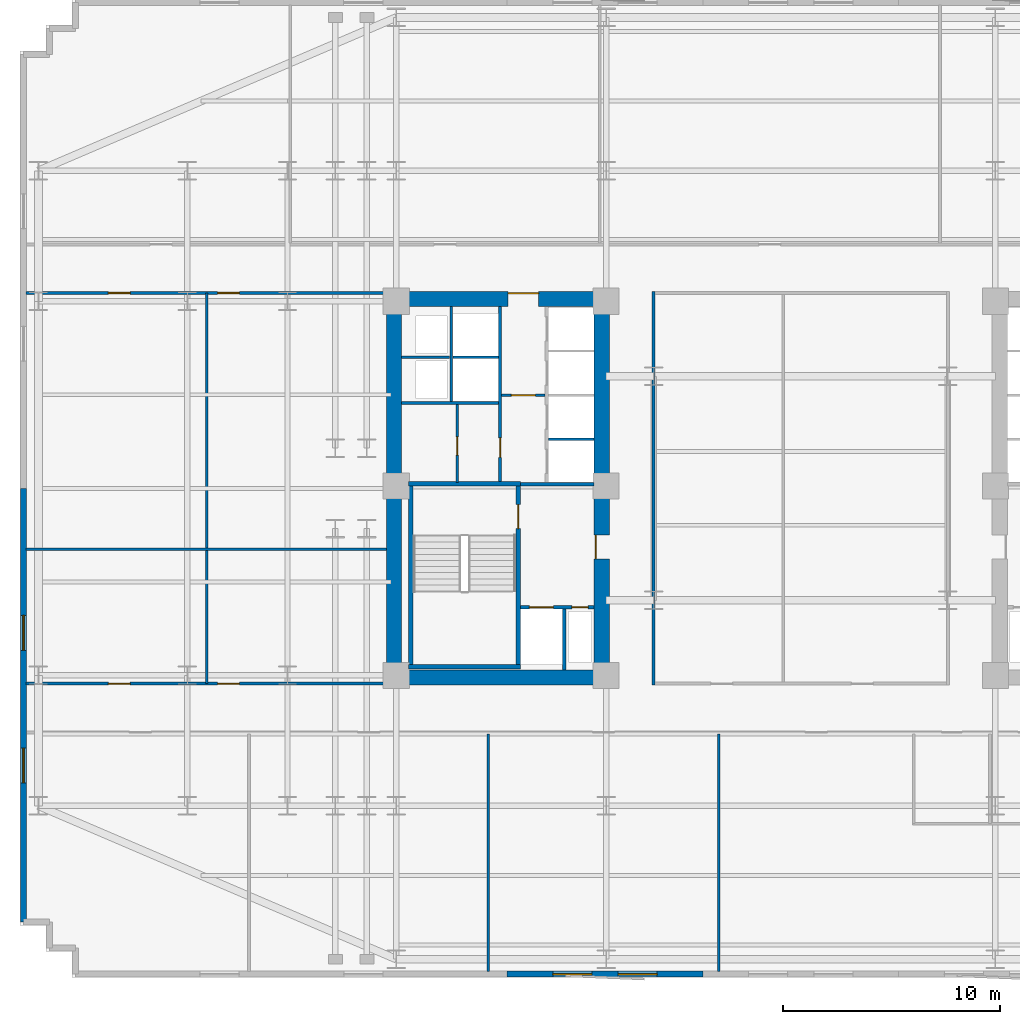
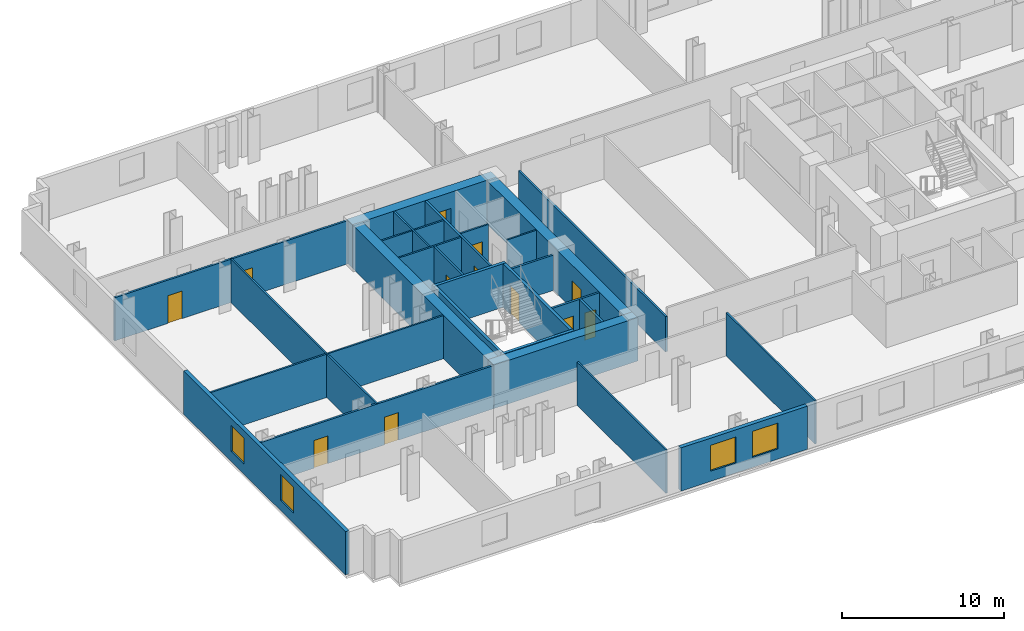
# One storey, part 4 of 10: 28 walls, 12 doors, 4 windows, 16 openings.
"""IFC4 building model written with IfcOpenShell, lengths in metres."""

import ifcopenshell
import ifcopenshell.guid

model = None  # the IFC model being written
_history = None  # IfcOwnerHistory: only IFC2X3 demands one
_inside = {}  # id of a spatial element -> (the spatial element, [elements in it])
_under = {}  # id of a project, library or spatial element -> (it, [spatial elements below it])
_declared = {}  # id of a project -> (the project, [libraries it declares])
_typed = {}  # id of a type object -> (the type object, [elements of that type])
_made_of = {}  # id of a material, layer set ... -> (it, [elements and type objects made of it])


def new_model(schema):
    """Start an empty IFC model of exactly this schema.

    Asked for "IFC4X3", IfcOpenShell would pick the latest addendum, in which some entities
    have other attributes; the version numbers below select the first issue.
    IFC2X3 requires an IfcOwnerHistory on every rooted entity: one is made here for all.
    """
    global model, _history
    if schema == "IFC4X3":
        model = ifcopenshell.file(schema_version=(4, 3, 0, 0))
    else:
        model = ifcopenshell.file(schema=schema)
    _inside.clear()
    _under.clear()
    _declared.clear()
    _typed.clear()
    _made_of.clear()
    _history = None
    if model.schema == "IFC2X3":
        org = make("IfcOrganization", Name="unknown")
        user = make(
            "IfcPersonAndOrganization",
            ThePerson=make("IfcPerson", FamilyName="unknown"),
            TheOrganization=org,
        )
        app = make(
            "IfcApplication",
            ApplicationDeveloper=org,
            Version="unknown",
            ApplicationFullName="unknown",
            ApplicationIdentifier="unknown",
        )
        _history = make(
            "IfcOwnerHistory",
            OwningUser=user,
            OwningApplication=app,
            ChangeAction="ADDED",
            CreationDate=0,
        )
    return model


def make(cls, **values):
    """One entity of the class cls with the attributes given. An attribute that is None is left unset."""
    return model.create_entity(
        cls, **{name: value for name, value in values.items() if value is not None}
    )


def rooted(cls, **values):
    """An entity with a GlobalId (a new one), such as an element, a storey or a relation."""
    return make(cls, GlobalId=ifcopenshell.guid.new(), OwnerHistory=_history, **values)


def si_unit(unit_type, name, prefix=None):
    """IfcSIUnit, for example si_unit("LENGTHUNIT", "METRE", prefix="MILLI")."""
    return make("IfcSIUnit", UnitType=unit_type, Prefix=prefix, Name=name)


def assignment(units):
    """IfcUnitAssignment: the units of a project."""
    return None if units is None else make("IfcUnitAssignment", Units=units)


def point(xyz):
    """IfcCartesianPoint."""
    return None if xyz is None else make("IfcCartesianPoint", Coordinates=xyz)


def direction(xyz):
    """IfcDirection."""
    return None if xyz is None else make("IfcDirection", DirectionRatios=xyz)


def frame(location, z_axis=None, x_axis=None):
    """IfcAxis2Placement3D, a coordinate frame: its origin and axes. An axis left out is left unset."""
    return make(
        "IfcAxis2Placement3D",
        Location=point(location),
        Axis=direction(z_axis),
        RefDirection=direction(x_axis),
    )


def frame_2d(location, x_axis=None):
    """IfcAxis2Placement2D, a coordinate frame in the plane: its origin and x axis."""
    return make(
        "IfcAxis2Placement2D", Location=point(location), RefDirection=direction(x_axis)
    )


def origin():
    """The frame at (0, 0, 0) with its axes left unset."""
    return frame((0.0, 0.0, 0.0))


def place(relative_to, where):
    """IfcLocalPlacement: puts the frame where relative to a parent placement (None: the world)."""
    return make(
        "IfcLocalPlacement", PlacementRelTo=relative_to, RelativePlacement=where
    )


def context(
    kind, dimensions, precision=None, world=None, true_north=None, identifier=None
):
    """IfcGeometricRepresentationContext, for example the 3D "Model" context."""
    return make(
        "IfcGeometricRepresentationContext",
        ContextIdentifier=identifier,
        ContextType=kind,
        CoordinateSpaceDimension=dimensions,
        Precision=precision,
        WorldCoordinateSystem=world,
        TrueNorth=true_north,
    )


def subcontext(parent, identifier, kind, view, scale=None):
    """IfcGeometricRepresentationSubContext, for example "Body" below "Model"."""
    return make(
        "IfcGeometricRepresentationSubContext",
        ContextIdentifier=identifier,
        ContextType=kind,
        ParentContext=parent,
        TargetScale=scale,
        TargetView=view,
    )


def project(units=None, contexts=None):
    """IfcProject with its units and contexts."""
    return rooted(
        "IfcProject",
        Name="project",
        RepresentationContexts=contexts,
        UnitsInContext=assignment(units),
    )


def spatial(cls, under=None, at=None, **own):
    """A site, building, storey or space (cls), placed at a placement, below another one or the project."""
    s = rooted(cls, ObjectPlacement=at, **own)
    if under is not None:
        _under.setdefault(under.id(), (under, []))[1].append(s)
    return s


def profile(cls, at=None, kind="AREA", **sizes):
    """A parametric profile (cls). Its sizes go by their IFC names, for example OverallWidth=200.0."""
    return make(cls, ProfileType=kind, Position=at, **sizes)


def rectangle(**sizes):
    """IfcRectangleProfileDef."""
    return profile("IfcRectangleProfileDef", **sizes)


def extrude(swept, where, along, depth):
    """IfcExtrudedAreaSolid: the profile swept, set in the frame where, extruded along a direction by depth."""
    return make(
        "IfcExtrudedAreaSolid",
        SweptArea=swept,
        Position=where,
        ExtrudedDirection=direction(along),
        Depth=depth,
    )


def shape(context_of_items, identifier, shape_type, items):
    """IfcShapeRepresentation: the items that make up one representation, for example the "Body"."""
    return make(
        "IfcShapeRepresentation",
        ContextOfItems=context_of_items,
        RepresentationIdentifier=identifier,
        RepresentationType=shape_type,
        Items=items,
    )


def material(Name=None, Category=None):
    """IfcMaterial."""
    return make("IfcMaterial", Name=Name, Category=Category)


def layer(
    of_material, thickness, ventilated=None, Name=None, Category=None, Priority=None
):
    """IfcMaterialLayer: one layer of a wall or slab, of a material (None: an air gap)."""
    return make(
        "IfcMaterialLayer",
        Material=of_material,
        LayerThickness=thickness,
        IsVentilated=ventilated,
        Name=Name,
        Category=Category,
        Priority=Priority,
    )


def layer_set(layers, Name=None):
    """IfcMaterialLayerSet."""
    return make("IfcMaterialLayerSet", MaterialLayers=layers, LayerSetName=Name)


def made_of(thing, what):
    """Note that an element or type object is made of a material, layer set ...; save() writes the relation."""
    if what is not None:
        _made_of.setdefault(what.id(), (what, []))[1].append(thing)
    return thing


def type_object(cls, material=None, **own):
    """A type object (cls), such as IfcWallType, which elements share."""
    return made_of(rooted(cls, **own), material)


def element(
    cls,
    number,
    at=None,
    inside=None,
    cuts=None,
    type_object=None,
    material=None,
    context=None,
    identifier="Body",
    shape_type=None,
    held_by="IfcProductDefinitionShape",
    body=None,
    shapes=None,
    **own,
):
    """One element of the class cls, such as IfcWall. Its Tag is "e" and its number.

    at: its placement. inside: the storey or other place that contains it. cuts: it is an
    opening in that element (IfcRelVoidsElement). A single representation is given by context,
    identifier, shape_type and body (its items); several are given by shapes. held_by: the class
    of the entity that holds the representations. save() writes the other relations.
    """
    e = rooted(cls, Tag="e%d" % number, ObjectPlacement=at, **own)
    if body is not None:
        shapes = [shape(context, identifier, shape_type, body)]
    if shapes is not None:
        e.Representation = make(held_by, Representations=shapes)
    if inside is not None:
        _inside.setdefault(inside.id(), (inside, []))[1].append(e)
    if cuts is not None:
        rooted(
            "IfcRelVoidsElement", RelatingBuildingElement=cuts, RelatedOpeningElement=e
        )
    if type_object is not None:
        _typed.setdefault(type_object.id(), (type_object, []))[1].append(e)
    return made_of(e, material)


def fill(opening, filler):
    """IfcRelFillsElement: the door or window that sits in an opening."""
    return rooted(
        "IfcRelFillsElement",
        RelatingOpeningElement=opening,
        RelatedBuildingElement=filler,
    )


def aggregate(whole, parts):
    """IfcRelAggregates: a whole, such as a stair, and the parts it consists of."""
    return rooted("IfcRelAggregates", RelatingObject=whole, RelatedObjects=parts)


def save(model, path):
    """Write the relations noted so far, then the file.

    IfcRelAggregates (storeys below a building ...), IfcRelContainedInSpatialStructure (elements
    in a storey), IfcRelDefinesByType, IfcRelAssociatesMaterial and IfcRelDeclares: one each for
    every whole, place, type object, material and project.
    """
    for whole, parts in _under.values():
        aggregate(whole, parts)
    for where, things in _inside.values():
        rooted(
            "IfcRelContainedInSpatialStructure",
            RelatedElements=things,
            RelatingStructure=where,
        )
    for kind, things in _typed.values():
        rooted("IfcRelDefinesByType", RelatedObjects=things, RelatingType=kind)
    for what, things in _made_of.values():
        rooted("IfcRelAssociatesMaterial", RelatedObjects=things, RelatingMaterial=what)
    for by, libraries in _declared.values():
        rooted("IfcRelDeclares", RelatingContext=by, RelatedDefinitions=libraries)
    model.write(path)


model = new_model("IFC4")

# Units and contexts
model_context = context("Model", 3, precision=1e-05, world=origin(), true_north=direction((0.0, 1.0)))
body_context = subcontext(model_context, "Body", "Model", "MODEL_VIEW")
ifc_project = project(units=[si_unit("LENGTHUNIT", "METRE"), si_unit("AREAUNIT", "SQUARE_METRE"), si_unit("VOLUMEUNIT", "CUBIC_METRE"), si_unit("PLANEANGLEUNIT", "RADIAN"), si_unit("MASSUNIT", "GRAM", prefix="KILO")], contexts=[model_context])

# Site, building, storey
site_placement = place(None, origin())
site = spatial("IfcSite", under=ifc_project, at=site_placement, CompositionType="ELEMENT")
building_placement = place(site_placement, origin())
building = spatial("IfcBuilding", under=site, at=building_placement, Name="Velakula Bourse", CompositionType="ELEMENT")
storey_placement = place(building_placement, frame((0.0, 0.0, 45.0)))
storey = spatial("IfcBuildingStorey", under=building, at=storey_placement, Name="L11", CompositionType="ELEMENT", Elevation=45.0)

# Wall, opening, door
ifc_material_1 = material(Name="Concrete M50 (fck 50 MPa)", Category="concrete")
ifc_layer_1 = layer(ifc_material_1, 0.2099609375, Name="Concrete M50 (fck 50 MPa)", Category="concrete")
ifc_layer_set_1 = layer_set([ifc_layer_1], Name="Concrete M50 (fck 50 MPa)")
wall_type_1 = type_object("IfcWallType", Name="WL-CORE-210", PredefinedType="SHEAR", material=ifc_layer_set_1)
wall_1_placement = place(storey_placement, frame((-12.9951171875, -8.10009765625, 0.0), z_axis=(0.0, 0.0, 1.0), x_axis=(0.0, 1.0, 0.0)))
wall_1 = element("IfcWall", 1, at=wall_1_placement, inside=storey, type_object=wall_type_1, Name="L11 Core W Stairwell Shear Wall IN", PredefinedType="SHEAR", context=body_context, shape_type="SweptSolid", body=[
    extrude(rectangle(XDim=8.2001953125, YDim=0.2099609375, at=frame_2d((4.10009765625, 0.0))), origin(), (0.0, 0.0, 1.0), 3.27001953125),
])
opening_1_placement = place(wall_1_placement, frame((6.25, 0.0, 0.0)))
opening_1 = element("IfcOpeningElement", 2, at=opening_1_placement, cuts=wall_1, Name="Opening D-STW1", PredefinedType="OPENING", context=body_context, shape_type="SweptSolid", body=[
    extrude(rectangle(XDim=1.10009765625, YDim=2.14990234375, at=frame_2d((0.550048828125, 1.074951171875))), frame((0.0, 0.114990234375, 0.0), z_axis=(0.0, -1.0, 0.0), x_axis=(1.0, 0.0, 0.0)), (0.0, 0.0, 1.0), 0.22998046875),
])
ifc_material_2 = material(Name="Galvanised painted hollow steel fire door", Category="steel")
door_type_1 = type_object("IfcDoorType", Name="DR-FD120-1100x2150", OperationType="NOTDEFINED", PredefinedType="DOOR", material=ifc_material_2)
door_1_placement = place(opening_1_placement, origin())
door_1 = element("IfcDoor", 3, at=door_1_placement, inside=storey, type_object=door_type_1, Name="L11 Stair ST-W1 Fire Door", OperationType="SINGLE_SWING_LEFT", OverallHeight=2.14990234375, OverallWidth=1.10009765625, PredefinedType="DOOR", context=body_context, shape_type="SweptSolid", body=[
    extrude(rectangle(XDim=1.10009765625, YDim=2.14990234375, at=frame_2d((0.550048828125, 1.074951171875))), frame((0.0, 0.02490234375, 0.0), z_axis=(0.0, -1.0, 0.0), x_axis=(1.0, 0.0, 0.0)), (0.0, 0.0, 1.0), 0.050048828125),
])
fill(opening_1, door_1)

# Walls
wall_2_placement = place(storey_placement, frame((-17.925048828125, -8.10009765625, 0.0), z_axis=(0.0, 0.0, 1.0), x_axis=(0.0, 1.0, 0.0)))
element("IfcWall", 4, at=wall_2_placement, inside=storey, type_object=wall_type_1, Name="L11 Core W Stairwell Shear Wall OUT", PredefinedType="SHEAR", context=body_context, shape_type="SweptSolid", body=[
    extrude(rectangle(XDim=8.2001953125, YDim=0.2099609375, at=frame_2d((4.10009765625, 0.0))), origin(), (0.0, 0.0, 1.0), 3.27001953125),
])
for number, where, z_axis, x_axis, name in (
    (5, (-18.030029296875, -8.205078125, 0.0), (0.0, 0.0, 1.0), (1.0, 0.0, 0.0), "L11 Core W Stairwell Shear Wall S"),
    (6, (-12.889892578125, 0.205078125, 0.0), (0.0, 0.0, 1.0), (-1.0, 0.0, 0.0), "L11 Core W Stairwell Shear Wall N"),
):
    element("IfcWall", number, at=place(storey_placement, frame(where, z_axis=z_axis, x_axis=x_axis)), inside=storey, type_object=wall_type_1, Name=name, PredefinedType="SHEAR", context=body_context, shape_type="SweptSolid", body=[
        extrude(rectangle(XDim=5.14013671875, YDim=0.2099609375, at=frame_2d((2.570068359375, 0.0))), origin(), (0.0, 0.0, 1.0), 3.27001953125),
    ])
ifc_material_3 = material(Name="Concrete M70 (fck 70 MPa)", Category="concrete")
ifc_layer_2 = layer(ifc_material_3, 0.699951171875, Name="Concrete M70 (fck 70 MPa)", Category="concrete")
ifc_layer_set_2 = layer_set([ifc_layer_2], Name="Concrete M70 (fck 70 MPa)")
wall_type_2 = type_object("IfcWallType", Name="WL-CORE-700", PredefinedType="SHEAR", material=ifc_layer_set_2)
wall_3_placement = place(storey_placement, frame((-19.050048828125, -8.699951171875, 0.0), z_axis=(0.0, 0.0, 1.0), x_axis=(1.0, 0.0, 0.0)))
element("IfcWall", 7, at=wall_3_placement, inside=storey, type_object=wall_type_2, Name="L11 Core W Shear Wall S", PredefinedType="SHEAR", context=body_context, shape_type="SweptSolid", body=[
    extrude(rectangle(XDim=10.25, YDim=0.699951171875, at=frame_2d((5.125, 0.0))), origin(), (0.0, 0.0, 1.0), 3.27001953125),
])

# Wall, opening, door
wall_4_placement = place(storey_placement, frame((-19.050048828125, 8.699951171875, 0.0), z_axis=(0.0, 0.0, 1.0), x_axis=(1.0, 0.0, 0.0)))
wall_4 = element("IfcWall", 8, at=wall_4_placement, inside=storey, type_object=wall_type_2, Name="L11 Core W Shear Wall N", PredefinedType="SHEAR", context=body_context, shape_type="SweptSolid", body=[
    extrude(rectangle(XDim=10.25, YDim=0.699951171875, at=frame_2d((5.125, 0.0))), origin(), (0.0, 0.0, 1.0), 3.27001953125),
])
opening_2_placement = place(wall_4_placement, frame((5.60009765625, 0.0, 0.0)))
opening_2 = element("IfcOpeningElement", 9, at=opening_2_placement, cuts=wall_4, Name="Opening D-LLW", PredefinedType="OPENING", context=body_context, shape_type="SweptSolid", body=[
    extrude(rectangle(XDim=1.39990234375, YDim=2.050048828125, at=frame_2d((0.699951171875, 1.02490234375))), frame((0.0, 0.35986328125, 0.0), z_axis=(0.0, -1.0, 0.0), x_axis=(1.0, 0.0, 0.0)), (0.0, 0.0, 1.0), 0.719970703125),
])
ifc_material_4 = material(Name="Fire-rated hardwood flush architectural door", Category="wood")
door_type_2 = type_object("IfcDoorType", Name="DR-DBL-FD60-1400", OperationType="DOUBLE_DOOR_SINGLE_SWING", PredefinedType="DOOR", material=ifc_material_4)
door_2_placement = place(opening_2_placement, origin())
door_2 = element("IfcDoor", 10, at=door_2_placement, inside=storey, type_object=door_type_2, Name="L11 Core W Lift Lobby Corridor Double Door", OperationType="DOUBLE_DOOR_SINGLE_SWING", OverallHeight=2.050048828125, OverallWidth=1.39990234375, PredefinedType="DOOR", context=body_context, shape_type="SweptSolid", body=[
    extrude(rectangle(XDim=1.39990234375, YDim=2.050048828125, at=frame_2d((0.699951171875, 1.02490234375))), frame((0.0, 0.294921875, 0.0), z_axis=(0.0, -1.0, 0.0), x_axis=(1.0, 0.0, 0.0)), (0.0, 0.0, 1.0), 0.050048828125),
])
fill(opening_2, door_2)

# Wall
wall_5_placement = place(storey_placement, frame((-18.699951171875, -8.35009765625, 0.0), z_axis=(0.0, 0.0, 1.0), x_axis=(0.0, 1.0, 0.0)))
element("IfcWall", 11, at=wall_5_placement, inside=storey, type_object=wall_type_2, Name="L11 Core W Shear Wall W", PredefinedType="SHEAR", context=body_context, shape_type="SweptSolid", body=[
    extrude(rectangle(XDim=16.7001953125, YDim=0.699951171875, at=frame_2d((8.35009765625, 0.0))), origin(), (0.0, 0.0, 1.0), 3.27001953125),
])

# Wall, opening, door
wall_6_placement = place(storey_placement, frame((-9.14990234375, -8.35009765625, 0.0), z_axis=(0.0, 0.0, 1.0), x_axis=(0.0, 1.0, 0.0)))
wall_6 = element("IfcWall", 12, at=wall_6_placement, inside=storey, type_object=wall_type_2, Name="L11 Core W Shear Wall E", PredefinedType="SHEAR", context=body_context, shape_type="SweptSolid", body=[
    extrude(rectangle(XDim=16.7001953125, YDim=0.699951171875, at=frame_2d((8.35009765625, 0.0))), origin(), (0.0, 0.0, 1.0), 3.27001953125),
])
opening_3_placement = place(wall_6_placement, frame((5.10009765625, 0.0, 0.0)))
opening_3 = element("IfcOpeningElement", 13, at=opening_3_placement, cuts=wall_6, Name="Opening D-FLW", PredefinedType="OPENING", context=body_context, shape_type="SweptSolid", body=[
    extrude(rectangle(XDim=1.10009765625, YDim=2.080078125, at=frame_2d((0.550048828125, 1.0400390625))), frame((0.0, 0.35986328125, 0.0), z_axis=(0.0, -1.0, 0.0), x_axis=(1.0, 0.0, 0.0)), (0.0, 0.0, 1.0), 0.719970703125),
])
door_type_3 = type_object("IfcDoorType", Name="DR-FD120-1100", OperationType="NOTDEFINED", PredefinedType="DOOR", material=ifc_material_2)
door_3_placement = place(opening_3_placement, origin())
door_3 = element("IfcDoor", 14, at=door_3_placement, inside=storey, type_object=door_type_3, Name="L11 Firefighting Lobby W Corridor Fire Door", OperationType="SINGLE_SWING_LEFT", OverallHeight=2.080078125, OverallWidth=1.10009765625, PredefinedType="DOOR", context=body_context, shape_type="SweptSolid", body=[
    extrude(rectangle(XDim=1.10009765625, YDim=2.080078125, at=frame_2d((0.550048828125, 1.0400390625))), frame((0.0, 0.30517578125, 0.0), z_axis=(0.0, -1.0, 0.0), x_axis=(1.0, 0.0, 0.0)), (0.0, 0.0, 1.0), 0.050048828125),
])
fill(opening_3, door_3)

# Wall, openings, windows
ifc_material_5 = material(Name="Red kilned clay facing brick masonry", Category="masonry")
ifc_layer_3 = layer(ifc_material_5, 0.280029296875, Name="Red kilned clay facing brick masonry", Category="masonry")
ifc_layer_set_3 = layer_set([ifc_layer_3], Name="Red kilned clay facing brick masonry")
wall_type_3 = type_object("IfcWallType", Name="WL-EXT-BRK-280", PredefinedType="STANDARD", material=ifc_layer_set_3)
wall_7_placement = place(storey_placement, frame((-4.5, -22.340087890625, 0.0), z_axis=(0.0, 0.0, 1.0), x_axis=(-1.0, 0.0, 0.0)))
wall_7 = element("IfcWall", 15, at=wall_7_placement, inside=storey, type_object=wall_type_3, Name="L11 S Brick Spandrel Wall B2", PredefinedType="STANDARD", context=body_context, shape_type="SweptSolid", body=[
    extrude(rectangle(XDim=9.0, YDim=0.280029296875, at=frame_2d((4.5, 0.0))), origin(), (0.0, 0.0, 1.0), 3.25),
])
opening_4_placement = place(wall_7_placement, frame((2.10009765625, 0.0, 0.760009765625)))
opening_4 = element("IfcOpeningElement", 16, at=opening_4_placement, cuts=wall_7, Name="Opening W-01", PredefinedType="OPENING", context=body_context, shape_type="SweptSolid", body=[
    extrude(rectangle(XDim=1.800048828125, YDim=1.949951171875, at=frame_2d((0.89990234375, 0.97509765625))), frame((0.0, 0.14990234375, 0.0), z_axis=(0.0, -1.0, 0.0), x_axis=(1.0, 0.0, 0.0)), (0.0, 0.0, 1.0), 0.300048828125),
])
opening_5_placement = place(wall_7_placement, frame((5.10009765625, 0.0, 0.760009765625)))
opening_5 = element("IfcOpeningElement", 17, at=opening_5_placement, cuts=wall_7, Name="Opening W-01", PredefinedType="OPENING", context=body_context, shape_type="SweptSolid", body=[
    extrude(rectangle(XDim=1.800048828125, YDim=1.949951171875, at=frame_2d((0.89990234375, 0.97509765625))), frame((0.0, 0.14990234375, 0.0), z_axis=(0.0, -1.0, 0.0), x_axis=(1.0, 0.0, 0.0)), (0.0, 0.0, 1.0), 0.300048828125),
])
ifc_material_6 = material(Name="Double-glazed solar-control Low-E glass", Category="glass")
window_type_1 = type_object("IfcWindowType", Name="WIN-TWR-1800x2100", PartitioningType="SINGLE_PANEL", PredefinedType="WINDOW", material=ifc_material_6)
window_1_placement = place(opening_4_placement, origin())
window_1 = element("IfcWindow", 18, at=window_1_placement, inside=storey, type_object=window_type_1, Name="L11 Deep-Set Recessed Window 1", OverallHeight=1.949951171875, OverallWidth=1.800048828125, PartitioningType="SINGLE_PANEL", PredefinedType="WINDOW", context=body_context, shape_type="SweptSolid", body=[
    extrude(rectangle(XDim=1.800048828125, YDim=1.949951171875, at=frame_2d((0.89990234375, 0.97509765625))), frame((0.0, 0.030029296875, 0.0), z_axis=(0.0, -1.0, 0.0), x_axis=(1.0, 0.0, 0.0)), (0.0, 0.0, 1.0), 0.06005859375),
])
fill(opening_4, window_1)
window_2_placement = place(opening_5_placement, origin())
window_2 = element("IfcWindow", 19, at=window_2_placement, inside=storey, type_object=window_type_1, Name="L11 Deep-Set Recessed Window 2", OverallHeight=1.949951171875, OverallWidth=1.800048828125, PartitioningType="SINGLE_PANEL", PredefinedType="WINDOW", context=body_context, shape_type="SweptSolid", body=[
    extrude(rectangle(XDim=1.800048828125, YDim=1.949951171875, at=frame_2d((0.89990234375, 0.97509765625))), frame((0.0, 0.030029296875, 0.0), z_axis=(0.0, -1.0, 0.0), x_axis=(1.0, 0.0, 0.0)), (0.0, 0.0, 1.0), 0.06005859375),
])
fill(opening_5, window_2)

wall_8_placement = place(storey_placement, frame((-35.739990234375, -19.93994140625, 0.0), z_axis=(0.0, 0.0, 1.0), x_axis=(0.0, 1.0, 0.0)))
wall_8 = element("IfcWall", 20, at=wall_8_placement, inside=storey, type_object=wall_type_3, Name="L11 W Brick End Wall W1", PredefinedType="STANDARD", context=body_context, shape_type="SweptSolid", body=[
    extrude(rectangle(XDim=19.93994140625, YDim=0.280029296875, at=frame_2d((9.969970703125, 0.0))), origin(), (0.0, 0.0, 1.0), 3.25),
])
opening_6_placement = place(wall_8_placement, frame((6.396728515625, 0.0, 0.760009765625)))
opening_6 = element("IfcOpeningElement", 21, at=opening_6_placement, cuts=wall_8, Name="Opening W-02", PredefinedType="OPENING", context=body_context, shape_type="SweptSolid", body=[
    extrude(rectangle(XDim=1.60009765625, YDim=1.949951171875, at=frame_2d((0.800048828125, 0.97509765625))), frame((0.0, 0.14990234375, 0.0), z_axis=(0.0, -1.0, 0.0), x_axis=(1.0, 0.0, 0.0)), (0.0, 0.0, 1.0), 0.300048828125),
])
opening_7_placement = place(wall_8_placement, frame((12.493408203125, 0.0, 0.760009765625)))
opening_7 = element("IfcOpeningElement", 22, at=opening_7_placement, cuts=wall_8, Name="Opening W-02", PredefinedType="OPENING", context=body_context, shape_type="SweptSolid", body=[
    extrude(rectangle(XDim=1.60009765625, YDim=1.949951171875, at=frame_2d((0.800048828125, 0.97509765625))), frame((0.0, 0.14990234375, 0.0), z_axis=(0.0, -1.0, 0.0), x_axis=(1.0, 0.0, 0.0)), (0.0, 0.0, 1.0), 0.300048828125),
])
window_type_2 = type_object("IfcWindowType", Name="WIN-TWR-1600x2100", PartitioningType="SINGLE_PANEL", PredefinedType="WINDOW", material=ifc_material_6)
window_3_placement = place(opening_6_placement, origin())
window_3 = element("IfcWindow", 23, at=window_3_placement, inside=storey, type_object=window_type_2, Name="L11 Deep-Set Recessed Window 1", OverallHeight=1.949951171875, OverallWidth=1.60009765625, PartitioningType="SINGLE_PANEL", PredefinedType="WINDOW", context=body_context, shape_type="SweptSolid", body=[
    extrude(rectangle(XDim=1.60009765625, YDim=1.949951171875, at=frame_2d((0.800048828125, 0.97509765625))), frame((0.0, 0.030029296875, 0.0), z_axis=(0.0, -1.0, 0.0), x_axis=(1.0, 0.0, 0.0)), (0.0, 0.0, 1.0), 0.06005859375),
])
fill(opening_6, window_3)
window_4_placement = place(opening_7_placement, origin())
window_4 = element("IfcWindow", 24, at=window_4_placement, inside=storey, type_object=window_type_2, Name="L11 Deep-Set Recessed Window 2", OverallHeight=1.949951171875, OverallWidth=1.60009765625, PartitioningType="SINGLE_PANEL", PredefinedType="WINDOW", context=body_context, shape_type="SweptSolid", body=[
    extrude(rectangle(XDim=1.60009765625, YDim=1.949951171875, at=frame_2d((0.800048828125, 0.97509765625))), frame((0.0, 0.030029296875, 0.0), z_axis=(0.0, -1.0, 0.0), x_axis=(1.0, 0.0, 0.0)), (0.0, 0.0, 1.0), 0.06005859375),
])
fill(opening_7, window_4)

# Wall, opening, door
ifc_material_7 = material(Name="Fire-rated double-layer gypsum drywall partition", Category="gypsum")
ifc_layer_4 = layer(ifc_material_7, 0.1201171875, Name="Fire-rated double-layer gypsum drywall partition", Category="gypsum")
ifc_layer_set_4 = layer_set([ifc_layer_4], Name="Fire-rated double-layer gypsum drywall partition")
wall_type_4 = type_object("IfcWallType", Name="WL-PART-120", PredefinedType="STANDARD", material=ifc_layer_set_4)
wall_9_placement = place(storey_placement, frame((-13.75, 4.280029296875, 0.0), z_axis=(0.0, 0.0, 1.0), x_axis=(1.0, 0.0, 0.0)))
wall_9 = element("IfcWall", 25, at=wall_9_placement, inside=storey, type_object=wall_type_4, Name="L11 Interior Partition WL-CRW-L11-LL-K2", PredefinedType="STANDARD", context=body_context, shape_type="SweptSolid", body=[
    extrude(rectangle(XDim=2.0, YDim=0.1201171875, at=frame_2d((1.0, 0.0))), origin(), (0.0, 0.0, 1.0), 3.25),
])
opening_8_placement = place(wall_9_placement, frame((0.449951171875, 0.0, 0.0)))
opening_8 = element("IfcOpeningElement", 26, at=opening_8_placement, cuts=wall_9, Name="Opening D-LK2", PredefinedType="OPENING", context=body_context, shape_type="SweptSolid", body=[
    extrude(rectangle(XDim=1.10009765625, YDim=2.10009765625, at=frame_2d((0.550048828125, 1.050048828125))), frame((0.0, 0.070068359375, 0.0), z_axis=(0.0, -1.0, 0.0), x_axis=(1.0, 0.0, 0.0)), (0.0, 0.0, 1.0), 0.14013671875),
])
door_type_4 = type_object("IfcDoorType", Name="DR-FD60-1100x2100", OperationType="NOTDEFINED", PredefinedType="DOOR", material=ifc_material_4)
door_4_placement = place(opening_8_placement, origin())
door_4 = element("IfcDoor", 27, at=door_4_placement, inside=storey, type_object=door_type_4, Name="L11 Core W Lift Lobby Zone Door", OperationType="SINGLE_SWING_RIGHT", OverallHeight=2.10009765625, OverallWidth=1.10009765625, PredefinedType="DOOR", context=body_context, shape_type="SweptSolid", body=[
    extrude(rectangle(XDim=1.10009765625, YDim=2.10009765625, at=frame_2d((0.550048828125, 1.050048828125))), frame((0.0, 0.02490234375, 0.0), z_axis=(0.0, -1.0, 0.0), x_axis=(1.0, 0.0, 0.0)), (0.0, 0.0, 1.0), 0.050048828125),
])
fill(opening_8, door_4)

# Walls
wall_10_placement = place(storey_placement, frame((-11.60009765625, 2.2548828125, 0.0), z_axis=(0.0, 0.0, 1.0), x_axis=(1.0, 0.0, 0.0)))
element("IfcWall", 28, at=wall_10_placement, inside=storey, type_object=wall_type_4, Name="L11 Interior Partition WL-CRW-L11-BDIV-0", PredefinedType="STANDARD", context=body_context, shape_type="SweptSolid", body=[
    extrude(rectangle(XDim=2.10009765625, YDim=0.110107421875, at=frame_2d((1.050048828125, 0.0))), origin(), (0.0, 0.0, 1.0), 3.25),
])
wall_11_placement = place(storey_placement, frame((-18.35009765625, 3.919921875, 0.0), z_axis=(0.0, 0.0, 1.0), x_axis=(1.0, 0.0, 0.0)))
element("IfcWall", 29, at=wall_11_placement, inside=storey, type_object=wall_type_4, Name="L11 Interior Partition WL-CRW-L11-HI-S", PredefinedType="STANDARD", context=body_context, shape_type="SweptSolid", body=[
    extrude(rectangle(XDim=4.4501953125, YDim=0.1201171875, at=frame_2d((2.22509765625, 0.0))), origin(), (0.0, 0.0, 1.0), 3.25),
])
wall_12_placement = place(storey_placement, frame((-18.35009765625, 6.030029296875, 0.0), z_axis=(0.0, 0.0, 1.0), x_axis=(1.0, 0.0, 0.0)))
element("IfcWall", 30, at=wall_12_placement, inside=storey, type_object=wall_type_4, Name="L11 Interior Partition WL-CRW-L11-RIS-MID", PredefinedType="STANDARD", context=body_context, shape_type="SweptSolid", body=[
    extrude(rectangle(XDim=2.2001953125, YDim=0.1201171875, at=frame_2d((1.10009765625, 0.0))), origin(), (0.0, 0.0, 1.0), 3.25),
])
wall_13_placement = place(storey_placement, frame((-16.074951171875, 3.97998046875, 0.0), z_axis=(0.0, 0.0, 1.0), x_axis=(0.0, 1.0, 0.0)))
element("IfcWall", 31, at=wall_13_placement, inside=storey, type_object=wall_type_4, Name="L11 Interior Partition WL-CRW-L11-RIS-F", PredefinedType="STANDARD", context=body_context, shape_type="SweptSolid", body=[
    extrude(rectangle(XDim=4.3701171875, YDim=0.1201171875, at=frame_2d((2.18505859375, 0.0))), origin(), (0.0, 0.0, 1.0), 3.25),
])
wall_14_placement = place(storey_placement, frame((-16.0, 6.030029296875, 0.0), z_axis=(0.0, 0.0, 1.0), x_axis=(1.0, 0.0, 0.0)))
element("IfcWall", 32, at=wall_14_placement, inside=storey, type_object=wall_type_4, Name="L11 Interior Partition WL-CRW-L11-HI-DIV", PredefinedType="STANDARD", context=body_context, shape_type="SweptSolid", body=[
    extrude(rectangle(XDim=2.10009765625, YDim=0.1201171875, at=frame_2d((1.050048828125, 0.0))), origin(), (0.0, 0.0, 1.0), 3.25),
])

# Wall, opening, door
wall_15_placement = place(storey_placement, frame((-15.800048828125, 0.27001953125, 0.0), z_axis=(0.0, 0.0, 1.0), x_axis=(0.0, 1.0, 0.0)))
wall_15 = element("IfcWall", 33, at=wall_15_placement, inside=storey, type_object=wall_type_4, Name="L11 Interior Partition WL-CRW-L11-K2", PredefinedType="STANDARD", context=body_context, shape_type="SweptSolid", body=[
    extrude(rectangle(XDim=3.590087890625, YDim=0.1201171875, at=frame_2d((1.794921875, 0.0))), origin(), (0.0, 0.0, 1.0), 3.25),
])
opening_9_placement = place(wall_15_placement, frame((1.25, 0.0, 0.0)))
opening_9 = element("IfcOpeningElement", 34, at=opening_9_placement, cuts=wall_15, Name="Opening D-CE1", PredefinedType="OPENING", context=body_context, shape_type="SweptSolid", body=[
    extrude(rectangle(XDim=0.85009765625, YDim=2.050048828125, at=frame_2d((0.425048828125, 1.02490234375))), frame((0.0, 0.070068359375, 0.0), z_axis=(0.0, -1.0, 0.0), x_axis=(1.0, 0.0, 0.0)), (0.0, 0.0, 1.0), 0.14013671875),
])
door_type_5 = type_object("IfcDoorType", Name="DR-INT-850", OperationType="NOTDEFINED", PredefinedType="DOOR", material=ifc_material_4)
door_5_placement = place(opening_9_placement, origin())
door_5 = element("IfcDoor", 35, at=door_5_placement, inside=storey, type_object=door_type_5, Name="L11 Core Equipment Store Door", OperationType="SINGLE_SWING_RIGHT", OverallHeight=2.050048828125, OverallWidth=0.85009765625, PredefinedType="DOOR", context=body_context, shape_type="SweptSolid", body=[
    extrude(rectangle(XDim=0.85009765625, YDim=2.050048828125, at=frame_2d((0.425048828125, 1.02490234375))), frame((0.0, 0.02490234375, 0.0), z_axis=(0.0, -1.0, 0.0), x_axis=(1.0, 0.0, 0.0)), (0.0, 0.0, 1.0), 0.050048828125),
])
fill(opening_9, door_5)

# Walls
for number, where, z_axis, x_axis, name in (
    (36, (-14.364990234375, -22.219970703125, 0.0), (0.0, 0.0, 1.0), (0.0, 1.0, 0.0), "L11 Interior Partition WL-INT-L11-SL-D6"),
    (37, (-3.76708984375, -22.219970703125, 0.0), (0.0, 0.0, 1.0), (0.0, 1.0, 0.0), "L11 Interior Partition WL-INT-L11-SL-D7"),
):
    element("IfcWall", number, at=place(storey_placement, frame(where, z_axis=z_axis, x_axis=x_axis)), inside=storey, type_object=wall_type_4, Name=name, PredefinedType="STANDARD", context=body_context, shape_type="SweptSolid", body=[
        extrude(rectangle(XDim=10.929931640625, YDim=0.1201171875, at=frame_2d((5.46484375, 0.0))), origin(), (0.0, 0.0, 1.0), 3.25),
    ])
wall_16_placement = place(storey_placement, frame((-35.6201171875, -2.800048828125, 0.0), z_axis=(0.0, 0.0, 1.0), x_axis=(1.0, 0.0, 0.0)))
element("IfcWall", 38, at=wall_16_placement, inside=storey, type_object=wall_type_4, Name="L11 Interior Partition WL-INT-L11-W-H", PredefinedType="STANDARD", context=body_context, shape_type="SweptSolid", body=[
    extrude(rectangle(XDim=16.570068359375, YDim=0.1201171875, at=frame_2d((8.28515625, 0.0))), origin(), (0.0, 0.0, 1.0), 3.25),
])
wall_17_placement = place(storey_placement, frame((-27.304931640625, -8.97998046875, 0.0), z_axis=(0.0, 0.0, 1.0), x_axis=(0.0, 1.0, 0.0)))
element("IfcWall", 39, at=wall_17_placement, inside=storey, type_object=wall_type_4, Name="L11 Interior Partition WL-INT-L11-W-V1", PredefinedType="STANDARD", context=body_context, shape_type="SweptSolid", body=[
    extrude(rectangle(XDim=17.9599609375, YDim=0.1201171875, at=frame_2d((8.97998046875, 0.0))), origin(), (0.0, 0.0, 1.0), 3.25),
])

# Wall, openings, doors
ifc_layer_5 = layer(ifc_material_7, 0.139892578125, Name="Fire-rated double-layer gypsum drywall partition", Category="gypsum")
ifc_layer_set_5 = layer_set([ifc_layer_5], Name="Fire-rated double-layer gypsum drywall partition")
wall_type_5 = type_object("IfcWallType", Name="WL-PART-140", PredefinedType="STANDARD", material=ifc_layer_set_5)
wall_18_placement = place(storey_placement, frame((-35.6201171875, 8.97998046875, 0.0), z_axis=(0.0, 0.0, 1.0), x_axis=(1.0, 0.0, 0.0)))
wall_18 = element("IfcWall", 40, at=wall_18_placement, inside=storey, type_object=wall_type_5, Name="L11 Interior Partition WL-INT-L11-W-NC", PredefinedType="STANDARD", context=body_context, shape_type="SweptSolid", body=[
    extrude(rectangle(XDim=16.570068359375, YDim=0.139892578125, at=frame_2d((8.28515625, 0.0))), origin(), (0.0, 0.0, 1.0), 3.25),
])
opening_10_placement = place(wall_18_placement, frame((3.78759765625, 0.0, 0.0)))
opening_10 = element("IfcOpeningElement", 41, at=opening_10_placement, cuts=wall_18, Name="Opening D-OF1", PredefinedType="OPENING", context=body_context, shape_type="SweptSolid", body=[
    extrude(rectangle(XDim=1.0, YDim=2.080078125, at=frame_2d((0.5, 1.0400390625))), frame((0.0, 0.079833984375, 0.0), z_axis=(0.0, -1.0, 0.0), x_axis=(1.0, 0.0, 0.0)), (0.0, 0.0, 1.0), 0.159912109375),
])
opening_11_placement = place(wall_18_placement, frame((8.8046875, 0.0, 0.0)))
opening_11 = element("IfcOpeningElement", 42, at=opening_11_placement, cuts=wall_18, Name="Opening D-OF1", PredefinedType="OPENING", context=body_context, shape_type="SweptSolid", body=[
    extrude(rectangle(XDim=1.0, YDim=2.080078125, at=frame_2d((0.5, 1.0400390625))), frame((0.0, 0.079833984375, 0.0), z_axis=(0.0, -1.0, 0.0), x_axis=(1.0, 0.0, 0.0)), (0.0, 0.0, 1.0), 0.159912109375),
])
door_type_6 = type_object("IfcDoorType", Name="DR-OFF-1000", OperationType="NOTDEFINED", PredefinedType="DOOR", material=ifc_material_4)
door_6_placement = place(opening_10_placement, origin())
door_6 = element("IfcDoor", 43, at=door_6_placement, inside=storey, type_object=door_type_6, Name="L11 Issuer Relations Office Door", OperationType="SINGLE_SWING_LEFT", OverallHeight=2.080078125, OverallWidth=1.0, PredefinedType="DOOR", context=body_context, shape_type="SweptSolid", body=[
    extrude(rectangle(XDim=1.0, YDim=2.080078125, at=frame_2d((0.5, 1.0400390625))), frame((0.0, 0.02490234375, 0.0), z_axis=(0.0, -1.0, 0.0), x_axis=(1.0, 0.0, 0.0)), (0.0, 0.0, 1.0), 0.050048828125),
])
fill(opening_10, door_6)
door_7_placement = place(opening_11_placement, origin())
door_7 = element("IfcDoor", 44, at=door_7_placement, inside=storey, type_object=door_type_6, Name="L11 Training Classroom Door", OperationType="SINGLE_SWING_RIGHT", OverallHeight=2.080078125, OverallWidth=1.0, PredefinedType="DOOR", context=body_context, shape_type="SweptSolid", body=[
    extrude(rectangle(XDim=1.0, YDim=2.080078125, at=frame_2d((0.5, 1.0400390625))), frame((0.0, 0.02490234375, 0.0), z_axis=(0.0, -1.0, 0.0), x_axis=(1.0, 0.0, 0.0)), (0.0, 0.0, 1.0), 0.050048828125),
])
fill(opening_11, door_7)

wall_19_placement = place(storey_placement, frame((-35.6201171875, -8.97998046875, 0.0), z_axis=(0.0, 0.0, 1.0), x_axis=(1.0, 0.0, 0.0)))
wall_19 = element("IfcWall", 45, at=wall_19_placement, inside=storey, type_object=wall_type_5, Name="L11 Interior Partition WL-INT-L11-W-SC", PredefinedType="STANDARD", context=body_context, shape_type="SweptSolid", body=[
    extrude(rectangle(XDim=16.570068359375, YDim=0.139892578125, at=frame_2d((8.28515625, 0.0))), origin(), (0.0, 0.0, 1.0), 3.25),
])
opening_12_placement = place(wall_19_placement, frame((3.78759765625, 0.0, 0.0)))
opening_12 = element("IfcOpeningElement", 46, at=opening_12_placement, cuts=wall_19, Name="Opening D-OF1", PredefinedType="OPENING", context=body_context, shape_type="SweptSolid", body=[
    extrude(rectangle(XDim=1.0, YDim=2.080078125, at=frame_2d((0.5, 1.0400390625))), frame((0.0, 0.079833984375, 0.0), z_axis=(0.0, -1.0, 0.0), x_axis=(1.0, 0.0, 0.0)), (0.0, 0.0, 1.0), 0.159912109375),
])
opening_13_placement = place(wall_19_placement, frame((8.8046875, 0.0, 0.0)))
opening_13 = element("IfcOpeningElement", 47, at=opening_13_placement, cuts=wall_19, Name="Opening D-OF1", PredefinedType="OPENING", context=body_context, shape_type="SweptSolid", body=[
    extrude(rectangle(XDim=1.0, YDim=2.080078125, at=frame_2d((0.5, 1.0400390625))), frame((0.0, 0.079833984375, 0.0), z_axis=(0.0, -1.0, 0.0), x_axis=(1.0, 0.0, 0.0)), (0.0, 0.0, 1.0), 0.159912109375),
])
door_8_placement = place(opening_12_placement, origin())
door_8 = element("IfcDoor", 48, at=door_8_placement, inside=storey, type_object=door_type_6, Name="L11 Issuer Relations Office Door", OperationType="SINGLE_SWING_LEFT", OverallHeight=2.080078125, OverallWidth=1.0, PredefinedType="DOOR", context=body_context, shape_type="SweptSolid", body=[
    extrude(rectangle(XDim=1.0, YDim=2.080078125, at=frame_2d((0.5, 1.0400390625))), frame((0.0, 0.02490234375, 0.0), z_axis=(0.0, -1.0, 0.0), x_axis=(1.0, 0.0, 0.0)), (0.0, 0.0, 1.0), 0.050048828125),
])
fill(opening_12, door_8)
door_9_placement = place(opening_13_placement, origin())
door_9 = element("IfcDoor", 49, at=door_9_placement, inside=storey, type_object=door_type_6, Name="L11 Training Classroom Door", OperationType="SINGLE_SWING_RIGHT", OverallHeight=2.080078125, OverallWidth=1.0, PredefinedType="DOOR", context=body_context, shape_type="SweptSolid", body=[
    extrude(rectangle(XDim=1.0, YDim=2.080078125, at=frame_2d((0.5, 1.0400390625))), frame((0.0, 0.02490234375, 0.0), z_axis=(0.0, -1.0, 0.0), x_axis=(1.0, 0.0, 0.0)), (0.0, 0.0, 1.0), 0.050048828125),
])
fill(opening_13, door_9)

# Wall
wall_20_placement = place(storey_placement, frame((-6.780029296875, -9.050048828125, 0.0), z_axis=(0.0, 0.0, 1.0), x_axis=(0.0, 1.0, 0.0)))
element("IfcWall", 50, at=wall_20_placement, inside=storey, type_object=wall_type_5, Name="L11 Interior Partition WL-INT-L11-MID-W", PredefinedType="STANDARD", context=body_context, shape_type="SweptSolid", body=[
    extrude(rectangle(XDim=18.10009765625, YDim=0.139892578125, at=frame_2d((9.050048828125, 0.0))), origin(), (0.0, 0.0, 1.0), 2.64501953125),
])

# Wall, openings, doors
ifc_material_8 = material(Name="Autoclaved aerated concrete blockwork masonry", Category="masonry")
ifc_layer_6 = layer(ifc_material_8, 0.14990234375, Name="Autoclaved aerated concrete blockwork masonry", Category="masonry")
ifc_layer_set_6 = layer_set([ifc_layer_6], Name="Autoclaved aerated concrete blockwork masonry")
wall_type_6 = type_object("IfcWallType", Name="WL-SHAFT-150", PredefinedType="STANDARD", material=ifc_layer_set_6)
wall_21_placement = place(storey_placement, frame((-12.89501953125, -5.47509765625, 0.0), z_axis=(0.0, 0.0, 1.0), x_axis=(1.0, 0.0, 0.0)))
wall_21 = element("IfcWall", 51, at=wall_21_placement, inside=storey, type_object=wall_type_6, Name="L11 Interior Partition WL-CRW-L11-FFL-N", PredefinedType="STANDARD", context=body_context, shape_type="SweptSolid", body=[
    extrude(rectangle(XDim=3.39501953125, YDim=0.14990234375, at=frame_2d((1.697509765625, 0.0))), origin(), (0.0, 0.0, 1.0), 3.25),
])
opening_14_placement = place(wall_21_placement, frame((0.419921875, 0.0, 0.0)))
opening_14 = element("IfcOpeningElement", 52, at=opening_14_placement, cuts=wall_21, Name="Opening LD-FFL-1", PredefinedType="OPENING", context=body_context, shape_type="SweptSolid", body=[
    extrude(rectangle(XDim=1.10009765625, YDim=2.14990234375, at=frame_2d((0.550048828125, 1.074951171875))), frame((0.0, 0.0849609375, 0.0), z_axis=(0.0, -1.0, 0.0), x_axis=(1.0, 0.0, 0.0)), (0.0, 0.0, 1.0), 0.169921875),
])
opening_15_placement = place(wall_21_placement, frame((2.3701171875, 0.0, 0.0)))
opening_15 = element("IfcOpeningElement", 53, at=opening_15_placement, cuts=wall_21, Name="Opening D-RS1", PredefinedType="OPENING", context=body_context, shape_type="SweptSolid", body=[
    extrude(rectangle(XDim=0.75, YDim=2.050048828125, at=frame_2d((0.375, 1.02490234375))), frame((0.0, 0.0849609375, 0.0), z_axis=(0.0, -1.0, 0.0), x_axis=(1.0, 0.0, 0.0)), (0.0, 0.0, 1.0), 0.169921875),
])
door_type_7 = type_object("IfcDoorType", Name="DR-RISER-800", OperationType="NOTDEFINED", PredefinedType="DOOR", material=ifc_material_2)
door_10_placement = place(opening_15_placement, origin())
door_10 = element("IfcDoor", 54, at=door_10_placement, inside=storey, type_object=door_type_7, Name="L11 Fire Riser Access Door", OperationType="SINGLE_SWING_RIGHT", OverallHeight=2.050048828125, OverallWidth=0.75, PredefinedType="DOOR", context=body_context, shape_type="SweptSolid", body=[
    extrude(rectangle(XDim=0.75, YDim=2.050048828125, at=frame_2d((0.375, 1.02490234375))), frame((0.0, 0.02490234375, 0.0), z_axis=(0.0, -1.0, 0.0), x_axis=(1.0, 0.0, 0.0)), (0.0, 0.0, 1.0), 0.050048828125),
])
fill(opening_15, door_10)
ifc_material_9 = material(Name="Brushed grade 316 stainless steel", Category="steel")
door_type_8 = type_object("IfcDoorType", Name="DR-SLIDE-FFL-1100", OperationType="DOUBLE_DOOR_SLIDING", PredefinedType="DOOR", material=ifc_material_9)
door_11_placement = place(opening_14_placement, origin())
door_11 = element("IfcDoor", 55, at=door_11_placement, inside=storey, type_object=door_type_8, Name="L11 Firefighting Lift FFL-1 Sliding Landing Door", OperationType="DOUBLE_DOOR_SLIDING", OverallHeight=2.14990234375, OverallWidth=1.10009765625, PredefinedType="DOOR", context=body_context, shape_type="SweptSolid", body=[
    extrude(rectangle(XDim=1.10009765625, YDim=2.14990234375, at=frame_2d((0.550048828125, 1.074951171875))), frame((0.0, 0.02490234375, 0.0), z_axis=(0.0, -1.0, 0.0), x_axis=(1.0, 0.0, 0.0)), (0.0, 0.0, 1.0), 0.050048828125),
])
fill(opening_14, door_11)

# Walls
wall_22_placement = place(storey_placement, frame((-10.875, -8.35009765625, 0.0), z_axis=(0.0, 0.0, 1.0), x_axis=(0.0, 1.0, 0.0)))
element("IfcWall", 56, at=wall_22_placement, inside=storey, type_object=wall_type_6, Name="L11 Interior Partition WL-CRW-L11-FR-DIV", PredefinedType="STANDARD", context=body_context, shape_type="SweptSolid", body=[
    extrude(rectangle(XDim=2.800048828125, YDim=0.14990234375, at=frame_2d((1.39990234375, 0.0))), origin(), (0.0, 0.0, 1.0), 3.25),
])
wall_23_placement = place(storey_placement, frame((-12.889892578125, 0.18994140625, 0.0), z_axis=(0.0, 0.0, 1.0), x_axis=(1.0, 0.0, 0.0)))
element("IfcWall", 57, at=wall_23_placement, inside=storey, type_object=wall_type_6, Name="L11 Interior Partition WL-CRW-L11-FF-TOP", PredefinedType="STANDARD", context=body_context, shape_type="SweptSolid", body=[
    extrude(rectangle(XDim=3.389892578125, YDim=0.14990234375, at=frame_2d((1.69482421875, 0.0))), origin(), (0.0, 0.0, 1.0), 2.64501953125),
])

# Wall, opening, door
wall_24_placement = place(storey_placement, frame((-13.824951171875, 0.27001953125, 0.0), z_axis=(0.0, 0.0, 1.0), x_axis=(0.0, 1.0, 0.0)))
wall_24 = element("IfcWall", 58, at=wall_24_placement, inside=storey, type_object=wall_type_6, Name="L11 Interior Partition WL-CRW-L11-OUT-F", PredefinedType="STANDARD", context=body_context, shape_type="SweptSolid", body=[
    extrude(rectangle(XDim=8.080078125, YDim=0.14990234375, at=frame_2d((4.0400390625, 0.0))), origin(), (0.0, 0.0, 1.0), 3.25),
])
opening_16_placement = place(wall_24_placement, frame((1.14990234375, 0.0, 0.0)))
opening_16 = element("IfcOpeningElement", 59, at=opening_16_placement, cuts=wall_24, Name="Opening D-CP1", PredefinedType="OPENING", context=body_context, shape_type="SweptSolid", body=[
    extrude(rectangle(XDim=0.89990234375, YDim=2.050048828125, at=frame_2d((0.449951171875, 1.02490234375))), frame((0.0, 0.0849609375, 0.0), z_axis=(0.0, -1.0, 0.0), x_axis=(1.0, 0.0, 0.0)), (0.0, 0.0, 1.0), 0.169921875),
])
door_type_9 = type_object("IfcDoorType", Name="DR-INT-900", OperationType="NOTDEFINED", PredefinedType="DOOR", material=ifc_material_4)
door_12_placement = place(opening_16_placement, origin())
door_12 = element("IfcDoor", 60, at=door_12_placement, inside=storey, type_object=door_type_9, Name="L11 Core Tea Pantry Door", OperationType="SINGLE_SWING_LEFT", OverallHeight=2.050048828125, OverallWidth=0.89990234375, PredefinedType="DOOR", context=body_context, shape_type="SweptSolid", body=[
    extrude(rectangle(XDim=0.89990234375, YDim=2.050048828125, at=frame_2d((0.449951171875, 1.02490234375))), frame((0.0, 0.02490234375, 0.0), z_axis=(0.0, -1.0, 0.0), x_axis=(1.0, 0.0, 0.0)), (0.0, 0.0, 1.0), 0.050048828125),
])
fill(opening_16, door_12)

save(model, "model.ifc")
